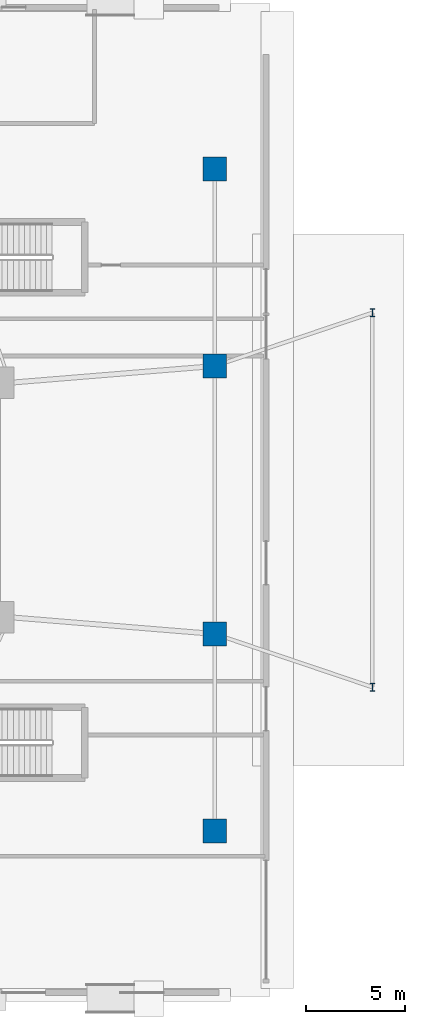
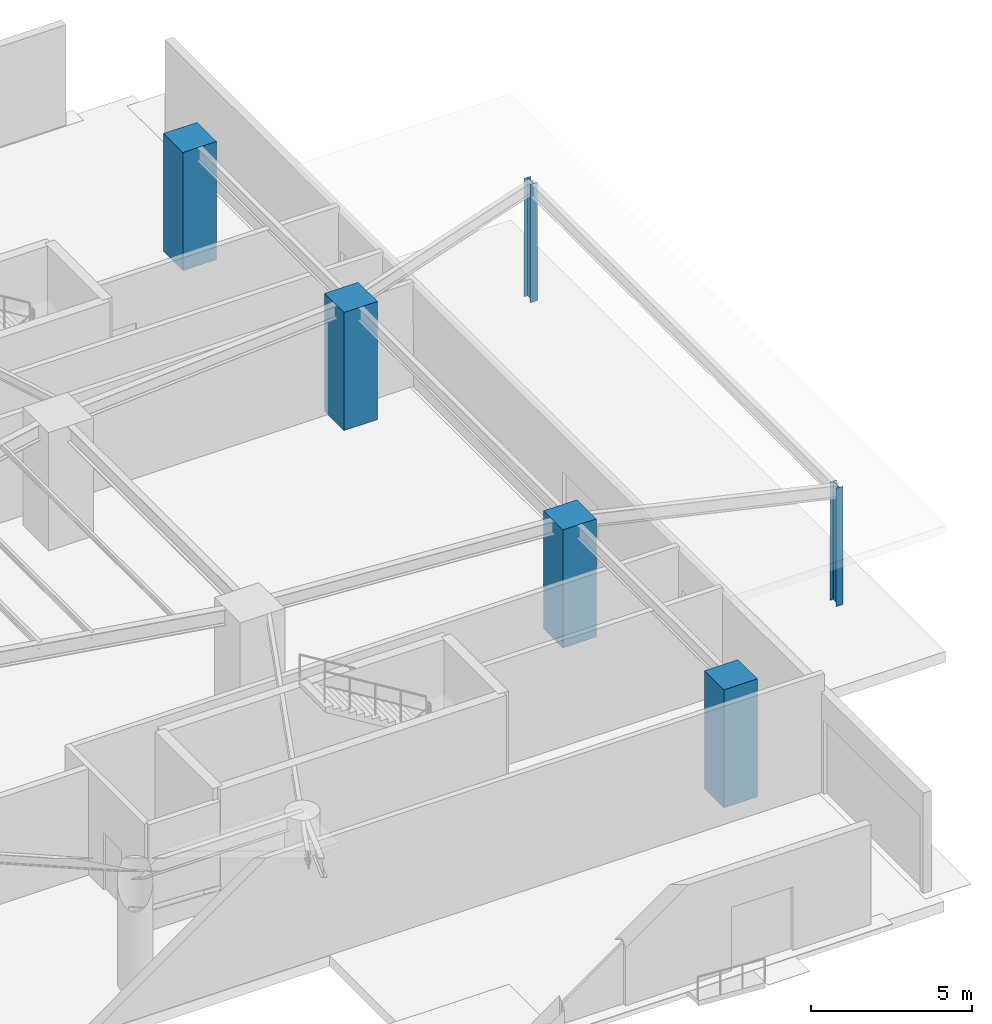
# One storey, part 9 of 31: 6 columns.
"""IFC4 building model written with IfcOpenShell, lengths in metres."""

from ifc_helpers import new_model, si_unit, direction, frame, origin, origin_2d, place, context, subcontext, project, spatial, rectangle, i_section, extrude, source, transform, mapped, material, material_profile, profile_set, type_object, element, save


model = new_model("IFC4")

# Units and contexts
model_context = context("Model", 3, precision=1e-05, world=origin(), true_north=direction((0.0, 1.0)))
body_context = subcontext(model_context, "Body", "Model", "MODEL_VIEW")
ifc_project = project(units=[si_unit("LENGTHUNIT", "METRE"), si_unit("AREAUNIT", "SQUARE_METRE"), si_unit("VOLUMEUNIT", "CUBIC_METRE"), si_unit("PLANEANGLEUNIT", "RADIAN"), si_unit("MASSUNIT", "GRAM", prefix="KILO")], contexts=[model_context])

# Site, building, storey
site_placement = place(None, origin())
site = spatial("IfcSite", under=ifc_project, at=site_placement, CompositionType="ELEMENT")
building_placement = place(site_placement, origin())
building = spatial("IfcBuilding", under=site, at=building_placement, Name="Sahyath Konkavel Grand Hotel", CompositionType="ELEMENT")
storey_placement = place(building_placement, origin())
storey = spatial("IfcBuildingStorey", under=building, at=storey_placement, Name="L00", CompositionType="ELEMENT", Elevation=0.0)

# Columns
ifc_material_1 = material(Name="Concrete C50/60", Category="concrete")
ifc_material_profile_1 = material_profile(ifc_material_1, rectangle(XDim=1.199951171875, YDim=1.199951171875, at=origin_2d()), Name="RC 1200x1200")
ifc_profile_set_1 = profile_set([ifc_material_profile_1], Name="Concrete C50/60")
column_type_1 = type_object("IfcColumnType", Name="COL-RC1200", PredefinedType="COLUMN", material=ifc_profile_set_1)
shared_shape_1 = source(origin(), body_context, "Body", "SweptSolid", [
    extrude(rectangle(XDim=1.199951171875, YDim=1.199951171875, at=origin_2d()), origin(), (0.0, 0.0, 1.0), 4.47998046875),
])
for number, where, z_axis, x_axis, name in (
    (1, (33.199951171875, -16.800048828125, 0.0), (0.0, 0.0, 1.0), (1.0, 0.0, 0.0), "L00 Podium Perimeter Column PC-E1"),
    (2, (33.199951171875, -6.800048828125, 0.0), (0.0, 0.0, 1.0), (1.0, 0.0, 0.0), "L00 Podium Perimeter Column PC-E2"),
    (3, (33.199951171875, 6.800048828125, 0.0), (0.0, 0.0, 1.0), (1.0, 0.0, 0.0), "L00 Podium Perimeter Column PC-E3"),
    (4, (33.199951171875, 16.800048828125, 0.0), (0.0, 0.0, 1.0), (1.0, 0.0, 0.0), "L00 Podium Perimeter Column PC-E4"),
):
    element("IfcColumn", number, at=place(storey_placement, frame(where, z_axis=z_axis, x_axis=x_axis)), inside=storey, type_object=column_type_1, Name=name, PredefinedType="COLUMN", context=body_context, shape_type="MappedRepresentation", body=[
        mapped(shared_shape_1, transform((0.0, 0.0, 0.0), scale=1.0)),
    ])
ifc_material_2 = material(Name="Steel E350", Category="steel")
ifc_material_profile_2 = material_profile(ifc_material_2, i_section(OverallWidth=0.25, OverallDepth=0.39990234375, WebThickness=0.0126953125, FlangeThickness=0.0126953125, FilletRadius=0.013916015625, at=origin_2d()), Name="ISHB 400")
ifc_profile_set_2 = profile_set([ifc_material_profile_2], Name="Steel E350")
column_type_2 = type_object("IfcColumnType", Name="COL-ISHB400", PredefinedType="COLUMN", material=ifc_profile_set_2)
shared_shape_2 = source(origin(), body_context, "Body", "SweptSolid", [
    extrude(i_section(OverallWidth=0.25, OverallDepth=0.39990234375, WebThickness=0.0126953125, FlangeThickness=0.0126953125, FilletRadius=0.013916015625, at=origin_2d()), origin(), (0.0, 0.0, 1.0), 4.47998046875),
])
for number, where, z_axis, x_axis, name in (
    (5, (41.199951171875, -9.5, 0.0), (0.0, 0.0, 1.0), (1.0, 0.0, 0.0), "L00 Metro Portal Wing Column PW-E1"),
    (6, (41.199951171875, 9.5, 0.0), (0.0, 0.0, 1.0), (1.0, 0.0, 0.0), "L00 Metro Portal Wing Column PW-E2"),
):
    element("IfcColumn", number, at=place(storey_placement, frame(where, z_axis=z_axis, x_axis=x_axis)), inside=storey, type_object=column_type_2, Name=name, PredefinedType="COLUMN", context=body_context, shape_type="MappedRepresentation", body=[
        mapped(shared_shape_2, transform((0.0, 0.0, 0.0), scale=1.0)),
    ])

save(model, "model.ifc")
